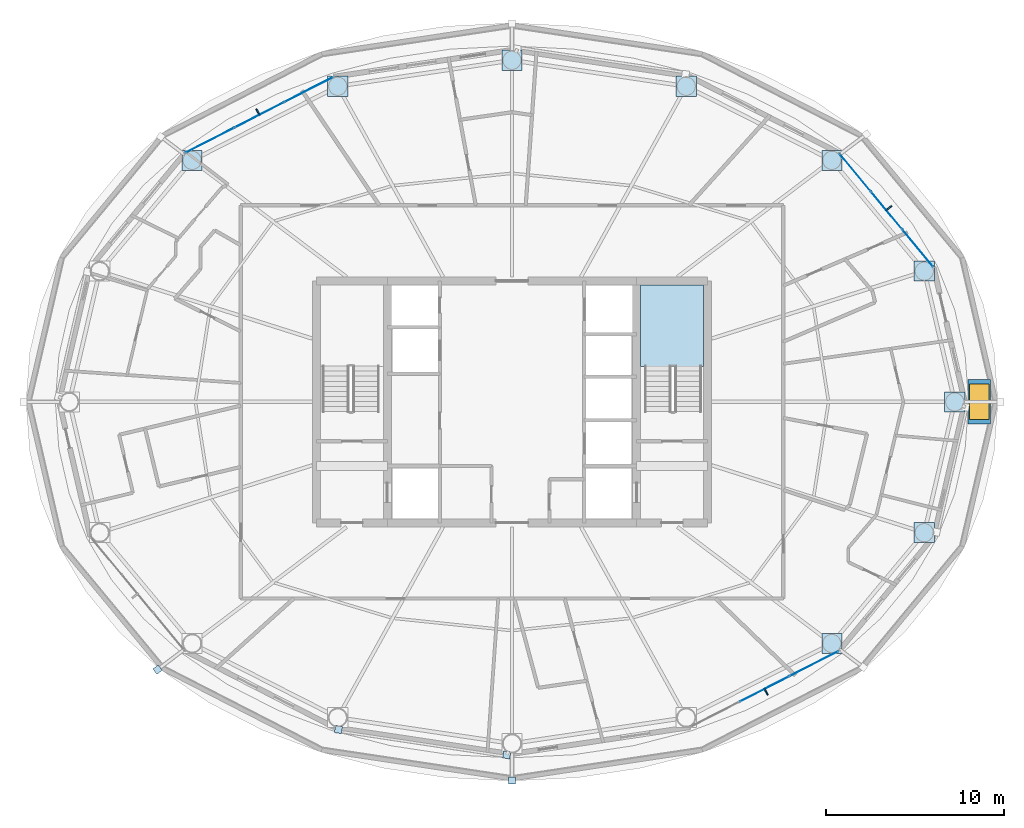
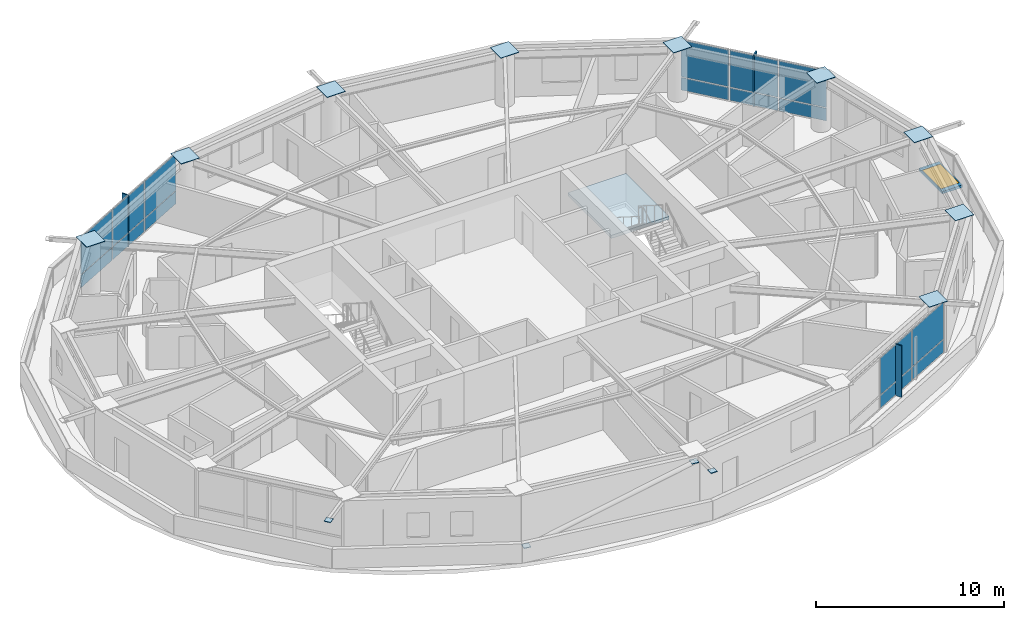
# One storey, part 14 of 22: 32 plates, 2 slabs, 1 door, 1 opening, 4 elements without a shape of their own.
"""IFC4 building model written with IfcOpenShell, lengths in metres."""

from ifc_helpers import new_model, si_unit, direction, frame, origin, origin_2d, place, context, subcontext, project, spatial, polyline, rectangle, outline, extrude, material, layer, layer_set, type_object, element, fill, aggregate, save


model = new_model("IFC4")

# Units and contexts
model_context = context("Model", 3, precision=1e-05, world=origin(), true_north=direction((0.0, 1.0)))
body_context = subcontext(model_context, "Body", "Model", "MODEL_VIEW")
ifc_project = project(units=[si_unit("LENGTHUNIT", "METRE"), si_unit("AREAUNIT", "SQUARE_METRE"), si_unit("VOLUMEUNIT", "CUBIC_METRE"), si_unit("PLANEANGLEUNIT", "RADIAN"), si_unit("MASSUNIT", "GRAM", prefix="KILO")], contexts=[model_context])

# Site, building, storey
site_placement = place(None, origin())
site = spatial("IfcSite", under=ifc_project, at=site_placement, CompositionType="ELEMENT")
building_placement = place(site_placement, origin())
building = spatial("IfcBuilding", under=site, at=building_placement, Name="Sarneth Arch Tower", CompositionType="ELEMENT")
storey_placement = place(building_placement, frame((0.0, 0.0, 206.39990234375)))
storey = spatial("IfcBuildingStorey", under=building, at=storey_placement, Name="L52", CompositionType="ELEMENT", Elevation=206.39990234375)

# Curtain wall, plates
ifc_material_1 = material(Name="Anodised aluminium Type AA25 and solar-control low-e laminated IGU", Category="aluminium")
ifc_layer_1 = layer(ifc_material_1, 0.179931640625)
ifc_layer_set_1 = layer_set([ifc_layer_1], Name="Anodised aluminium Type AA25 and solar-control low-e laminated IGU")
curtain_wall_type = type_object("IfcCurtainWallType", Name="CW-RES-HIGH", PredefinedType="NOTDEFINED", material=ifc_layer_set_1)
curtain_wall_1_placement = place(storey_placement, origin())
curtain_wall_1 = element("IfcCurtainWall", 1, at=curtain_wall_1_placement, inside=storey, type_object=curtain_wall_type, Name="L52 Unitised curtain wall facet 02", PredefinedType="NOTDEFINED")
ifc_material_2 = material(Name="Solar-control low-e laminated IGU", Category="glass")
ifc_layer_2 = layer(ifc_material_2, 0.028076171875)
ifc_layer_set_2 = layer_set([ifc_layer_2], Name="Solar-control low-e laminated IGU")
plate_type_1 = type_object("IfcPlateType", Name="CW-PANEL", PredefinedType="CURTAIN_PANEL", material=ifc_layer_set_2)
plate_1_placement = place(storey_placement, frame((70.799072265625, 50.650634765625, 0.06005859375), z_axis=(0.0, 0.0, 1.0), x_axis=(-0.637610094184, 0.770359245933, 0.0)))
plate_1 = element("IfcPlate", 2, at=plate_1_placement, type_object=plate_type_1, Name="Curtain wall glazed vision pane CW-L52-F02/P00-00", PredefinedType="CURTAIN_PANEL", context=body_context, shape_type="SweptSolid", body=[
    extrude(rectangle(XDim=2.686767578125, YDim=0.028076171875, at=origin_2d()), origin(), (0.0, 0.0, 1.0), 0.81005859375),
])
plate_2_placement = place(storey_placement, frame((70.799072265625, 50.650634765625, 0.929931640625), z_axis=(0.0, 0.0, 1.0), x_axis=(-0.637610094184, 0.770359245933, 0.0)))
plate_2 = element("IfcPlate", 3, at=plate_2_placement, type_object=plate_type_1, Name="Curtain wall glazed vision pane CW-L52-F02/P00-01", PredefinedType="CURTAIN_PANEL", context=body_context, shape_type="SweptSolid", body=[
    extrude(rectangle(XDim=2.686767578125, YDim=0.028076171875, at=origin_2d()), origin(), (0.0, 0.0, 1.0), 2.3701171875),
])
plate_3_placement = place(storey_placement, frame((69.0380859375, 52.778076171875, 0.06005859375), z_axis=(0.0, 0.0, 1.0), x_axis=(-0.637610094184, 0.770359245933, 0.0)))
plate_3 = element("IfcPlate", 4, at=plate_3_placement, type_object=plate_type_1, Name="Curtain wall glazed vision pane CW-L52-F02/P01-00", PredefinedType="CURTAIN_PANEL", context=body_context, shape_type="SweptSolid", body=[
    extrude(rectangle(XDim=2.716552734375, YDim=0.028076171875, at=origin_2d()), origin(), (0.0, 0.0, 1.0), 0.81005859375),
])
plate_4_placement = place(storey_placement, frame((69.0380859375, 52.778076171875, 0.929931640625), z_axis=(0.0, 0.0, 1.0), x_axis=(-0.637610094184, 0.770359245933, 0.0)))
plate_4 = element("IfcPlate", 5, at=plate_4_placement, type_object=plate_type_1, Name="Curtain wall glazed vision pane CW-L52-F02/P01-01", PredefinedType="CURTAIN_PANEL", context=body_context, shape_type="SweptSolid", body=[
    extrude(rectangle(XDim=2.716552734375, YDim=0.028076171875, at=origin_2d()), origin(), (0.0, 0.0, 1.0), 2.3701171875),
])
plate_5_placement = place(storey_placement, frame((67.27734375, 54.905517578125, 0.06005859375), z_axis=(0.0, 0.0, 1.0), x_axis=(-0.637610094184, 0.770359245933, 0.0)))
plate_5 = element("IfcPlate", 6, at=plate_5_placement, type_object=plate_type_1, Name="Curtain wall glazed vision pane CW-L52-F02/P02-00", PredefinedType="CURTAIN_PANEL", context=body_context, shape_type="SweptSolid", body=[
    extrude(rectangle(XDim=2.686767578125, YDim=0.028076171875, at=origin_2d()), origin(), (0.0, 0.0, 1.0), 0.81005859375),
])
plate_6_placement = place(storey_placement, frame((67.27734375, 54.905517578125, 0.929931640625), z_axis=(0.0, 0.0, 1.0), x_axis=(-0.637610094184, 0.770359245933, 0.0)))
plate_6 = element("IfcPlate", 7, at=plate_6_placement, type_object=plate_type_1, Name="Curtain wall glazed vision pane CW-L52-F02/P02-01", PredefinedType="CURTAIN_PANEL", context=body_context, shape_type="SweptSolid", body=[
    extrude(rectangle(XDim=2.686767578125, YDim=0.028076171875, at=origin_2d()), origin(), (0.0, 0.0, 1.0), 2.3701171875),
])
aggregate(curtain_wall_1, [plate_1, plate_2, plate_3, plate_4, plate_5, plate_6])

curtain_wall_2_placement = place(storey_placement, origin())
curtain_wall_2 = element("IfcCurtainWall", 8, at=curtain_wall_2_placement, inside=storey, type_object=curtain_wall_type, Name="L52 Unitised curtain wall facet 06", PredefinedType="NOTDEFINED")
plate_7_placement = place(storey_placement, frame((36.5791015625, 59.552978515625, 0.06005859375), z_axis=(0.0, 0.0, 1.0), x_axis=(-0.890009540525, -0.455941901753, 0.0)))
plate_7 = element("IfcPlate", 9, at=plate_7_placement, type_object=plate_type_1, Name="Curtain wall glazed vision pane CW-L52-F06/P00-00", PredefinedType="CURTAIN_PANEL", context=body_context, shape_type="SweptSolid", body=[
    extrude(rectangle(XDim=3.044677734375, YDim=0.028076171875, at=origin_2d()), origin(), (0.0, 0.0, 1.0), 0.81005859375),
])
plate_8_placement = place(storey_placement, frame((36.5791015625, 59.552978515625, 0.929931640625), z_axis=(0.0, 0.0, 1.0), x_axis=(-0.890009540525, -0.455941901753, 0.0)))
plate_8 = element("IfcPlate", 10, at=plate_8_placement, type_object=plate_type_1, Name="Curtain wall glazed vision pane CW-L52-F06/P00-01", PredefinedType="CURTAIN_PANEL", context=body_context, shape_type="SweptSolid", body=[
    extrude(rectangle(XDim=3.044677734375, YDim=0.028076171875, at=origin_2d()), origin(), (0.0, 0.0, 1.0), 2.3701171875),
])
plate_9_placement = place(storey_placement, frame((33.802490234375, 58.13037109375, 0.06005859375), z_axis=(0.0, 0.0, 1.0), x_axis=(-0.890009540525, -0.455941901753, 0.0)))
plate_9 = element("IfcPlate", 11, at=plate_9_placement, type_object=plate_type_1, Name="Curtain wall glazed vision pane CW-L52-F06/P01-00", PredefinedType="CURTAIN_PANEL", context=body_context, shape_type="SweptSolid", body=[
    extrude(rectangle(XDim=3.07470703125, YDim=0.028076171875, at=origin_2d()), origin(), (0.0, 0.0, 1.0), 0.81005859375),
])
plate_10_placement = place(storey_placement, frame((33.802490234375, 58.13037109375, 0.929931640625), z_axis=(0.0, 0.0, 1.0), x_axis=(-0.890009540525, -0.455941901753, 0.0)))
plate_10 = element("IfcPlate", 12, at=plate_10_placement, type_object=plate_type_1, Name="Curtain wall glazed vision pane CW-L52-F06/P01-01", PredefinedType="CURTAIN_PANEL", context=body_context, shape_type="SweptSolid", body=[
    extrude(rectangle(XDim=3.07470703125, YDim=0.028076171875, at=origin_2d()), origin(), (0.0, 0.0, 1.0), 2.3701171875),
])
plate_11_placement = place(storey_placement, frame((31.02587890625, 56.7080078125, 0.06005859375), z_axis=(0.0, 0.0, 1.0), x_axis=(-0.890009540525, -0.455941901753, 0.0)))
plate_11 = element("IfcPlate", 13, at=plate_11_placement, type_object=plate_type_1, Name="Curtain wall glazed vision pane CW-L52-F06/P02-00", PredefinedType="CURTAIN_PANEL", context=body_context, shape_type="SweptSolid", body=[
    extrude(rectangle(XDim=3.044677734375, YDim=0.028076171875, at=origin_2d()), origin(), (0.0, 0.0, 1.0), 0.81005859375),
])
plate_12_placement = place(storey_placement, frame((31.02587890625, 56.7080078125, 0.929931640625), z_axis=(0.0, 0.0, 1.0), x_axis=(-0.890009540525, -0.455941901753, 0.0)))
plate_12 = element("IfcPlate", 14, at=plate_12_placement, type_object=plate_type_1, Name="Curtain wall glazed vision pane CW-L52-F06/P02-01", PredefinedType="CURTAIN_PANEL", context=body_context, shape_type="SweptSolid", body=[
    extrude(rectangle(XDim=3.044677734375, YDim=0.028076171875, at=origin_2d()), origin(), (0.0, 0.0, 1.0), 2.3701171875),
])
aggregate(curtain_wall_2, [plate_7, plate_8, plate_9, plate_10, plate_11, plate_12])

curtain_wall_3_placement = place(storey_placement, origin())
curtain_wall_3 = element("IfcCurtainWall", 15, at=curtain_wall_3_placement, inside=storey, type_object=curtain_wall_type, Name="L52 Unitised curtain wall facet 14", PredefinedType="NOTDEFINED")
plate_13_placement = place(storey_placement, frame((62.197509765625, 25.86962890625, 0.06005859375), z_axis=(0.0, 0.0, 1.0), x_axis=(0.890009540525, 0.455941901753, 0.0)))
plate_13 = element("IfcPlate", 16, at=plate_13_placement, type_object=plate_type_1, Name="Curtain wall glazed vision pane CW-L52-F14/P01-00", PredefinedType="CURTAIN_PANEL", context=body_context, shape_type="SweptSolid", body=[
    extrude(rectangle(XDim=3.07470703125, YDim=0.028076171875, at=origin_2d()), origin(), (0.0, 0.0, 1.0), 0.81005859375),
])
plate_14_placement = place(storey_placement, frame((62.197509765625, 25.86962890625, 0.929931640625), z_axis=(0.0, 0.0, 1.0), x_axis=(0.890009540525, 0.455941901753, 0.0)))
plate_14 = element("IfcPlate", 17, at=plate_14_placement, type_object=plate_type_1, Name="Curtain wall glazed vision pane CW-L52-F14/P01-01", PredefinedType="CURTAIN_PANEL", context=body_context, shape_type="SweptSolid", body=[
    extrude(rectangle(XDim=3.07470703125, YDim=0.028076171875, at=origin_2d()), origin(), (0.0, 0.0, 1.0), 2.3701171875),
])
plate_15_placement = place(storey_placement, frame((64.97412109375, 27.2919921875, 0.06005859375), z_axis=(0.0, 0.0, 1.0), x_axis=(0.890009540525, 0.455941901753, 0.0)))
plate_15 = element("IfcPlate", 18, at=plate_15_placement, type_object=plate_type_1, Name="Curtain wall glazed vision pane CW-L52-F14/P02-00", PredefinedType="CURTAIN_PANEL", context=body_context, shape_type="SweptSolid", body=[
    extrude(rectangle(XDim=3.044677734375, YDim=0.028076171875, at=origin_2d()), origin(), (0.0, 0.0, 1.0), 0.81005859375),
])
plate_16_placement = place(storey_placement, frame((64.97412109375, 27.2919921875, 0.929931640625), z_axis=(0.0, 0.0, 1.0), x_axis=(0.890009540525, 0.455941901753, 0.0)))
plate_16 = element("IfcPlate", 19, at=plate_16_placement, type_object=plate_type_1, Name="Curtain wall glazed vision pane CW-L52-F14/P02-01", PredefinedType="CURTAIN_PANEL", context=body_context, shape_type="SweptSolid", body=[
    extrude(rectangle(XDim=3.044677734375, YDim=0.028076171875, at=origin_2d()), origin(), (0.0, 0.0, 1.0), 2.3701171875),
])
aggregate(curtain_wall_3, [plate_13, plate_14, plate_15, plate_16])

# Plates
ifc_material_3 = material(Name="Steel S355", Category="steel")
ifc_layer_3 = layer(ifc_material_3, 0.035888671875)
ifc_layer_set_3 = layer_set([ifc_layer_3], Name="Steel S355")
plate_type_2 = type_object("IfcPlateType", Name="PLT-GUSSET-30", PredefinedType="SHEET", material=ifc_layer_set_3)
plate_17_placement = place(storey_placement, frame((28.080322265625, 26.954833984375, 3.18212890625), z_axis=(0.0, 0.0, 1.0), x_axis=(-0.798004853043, -0.602651022168, 0.0)))
element("IfcPlate", 20, at=plate_17_placement, inside=storey, type_object=plate_type_2, Name="Steel end cap plate GP-1", PredefinedType="SHEET", context=body_context, shape_type="SweptSolid", body=[
    extrude(rectangle(XDim=0.3798828125, YDim=0.3798828125, at=origin_2d()), origin(), (0.0, 0.0, 1.0), 0.035888671875),
])
for number, where, z_axis, x_axis, name in (
    (21, (38.245849609375, 23.588623046875, 0.001953125), (0.0, 0.0, 1.0), (0.988860535448, -0.148845024885, 0.0), "Steel end cap plate GP-1"),
    (22, (47.703369140625, 22.16455078125, 3.0185546875), (0.0, 0.0, 1.0), (0.988860535448, -0.148845024885, 0.0), "Steel end cap plate GP-1"),
):
    element("IfcPlate", number, at=place(storey_placement, frame(where, z_axis=z_axis, x_axis=x_axis)), inside=storey, type_object=plate_type_2, Name=name, PredefinedType="SHEET", context=body_context, shape_type="SweptSolid", body=[
        extrude(rectangle(XDim=0.404052734375, YDim=0.404052734375, at=origin_2d()), origin(), (0.0, 0.0, 1.0), 0.035888671875),
    ])
plate_18_placement = place(storey_placement, frame((48.0, 20.726318359375, 3.18212890625), z_axis=(0.0, 0.0, 1.0), x_axis=(0.0, -1.0, 0.0)))
element("IfcPlate", 23, at=plate_18_placement, inside=storey, type_object=plate_type_2, Name="Steel end cap plate GP-1", PredefinedType="SHEET", context=body_context, shape_type="SweptSolid", body=[
    extrude(rectangle(XDim=0.3798828125, YDim=0.3798828125, at=origin_2d()), origin(), (0.0, 0.0, 1.0), 0.035888671875),
])
ifc_material_4 = material(Name="Steel S355", Category="steel")
ifc_layer_4 = layer(ifc_material_4, 0.0400390625)
ifc_layer_set_4 = layer_set([ifc_layer_4], Name="Steel S355")
plate_type_3 = type_object("IfcPlateType", Name="PLT-SPLICE-40", PredefinedType="SHEET", material=ifc_layer_set_4)
for number, where, z_axis, x_axis, name in (
    (24, (72.88330078125, 42.0, 3.34228515625), (0.0, 0.0, 1.0), (1.0, 0.0, 0.0), "Steel end cap plate GP-2"),
    (25, (71.1689453125, 49.347412109375, 3.34228515625), (0.0, 0.0, 1.0), (1.0, 0.0, 0.0), "Steel end cap plate GP-2"),
    (26, (65.975341796875, 55.576416015625, 3.34228515625), (0.0, 0.0, 1.0), (1.0, 0.0, 0.0), "Steel end cap plate GP-2"),
    (27, (57.790771484375, 59.738525390625, 3.34228515625), (0.0, 0.0, 1.0), (1.0, 0.0, 0.0), "Steel end cap plate GP-2"),
    (28, (48.0, 61.199951171875, 3.34228515625), (0.0, 0.0, 1.0), (1.0, 0.0, 0.0), "Steel end cap plate GP-2"),
    (29, (38.209228515625, 59.738525390625, 3.34228515625), (0.0, 0.0, 1.0), (1.0, 0.0, 0.0), "Steel end cap plate GP-2"),
    (30, (30.024658203125, 55.576416015625, 3.34228515625), (0.0, 0.0, 1.0), (1.0, 0.0, 0.0), "Steel end cap plate GP-2"),
    (31, (65.975341796875, 28.423583984375, 3.34228515625), (0.0, 0.0, 1.0), (1.0, 0.0, 0.0), "Steel end cap plate GP-2"),
    (32, (71.1689453125, 34.652587890625, 3.34228515625), (0.0, 0.0, 1.0), (1.0, 0.0, 0.0), "Steel end cap plate GP-2"),
):
    element("IfcPlate", number, at=place(storey_placement, frame(where, z_axis=z_axis, x_axis=x_axis)), inside=storey, type_object=plate_type_3, Name=name, PredefinedType="SHEET", context=body_context, shape_type="SweptSolid", body=[
        extrude(rectangle(XDim=1.1298828125, YDim=1.1298828125, at=origin_2d()), origin(), (0.0, 0.0, 1.0), 0.035888671875),
    ])
ifc_material_5 = material(Name="Extruded glazed terracotta baguette fin on Aluminium 6063-T6 carrier", Category="masonry")
ifc_layer_5 = layer(ifc_material_5, 0.080078125)
ifc_layer_set_5 = layer_set([ifc_layer_5], Name="Extruded glazed terracotta baguette fin on Aluminium 6063-T6 carrier")
plate_type_4 = type_object("IfcPlateType", Name="SHADE-TERRA-FIN", PredefinedType="SHEET", material=ifc_layer_set_5)
for number, where, z_axis, x_axis, name in (
    (33, (69.169189453125, 52.886474609375, 0.01025390625), (0.0, 0.0, 1.0), (0.770401979567, 0.63755845997, 0.0), "L52 Terracotta vertical shading fin 02"),
    (34, (33.724853515625, 58.28173828125, 0.01025390625), (0.0, 0.0, 1.0), (-0.456010959102, 0.889974159838, 0.0), "L52 Terracotta vertical shading fin 06"),
    (35, (62.275146484375, 25.71826171875, 0.01025390625), (0.0, 0.0, 1.0), (0.456010959102, -0.889974159838, 0.0), "L52 Terracotta vertical shading fin 14"),
):
    element("IfcPlate", number, at=place(storey_placement, frame(where, z_axis=z_axis, x_axis=x_axis)), inside=storey, type_object=plate_type_4, Name=name, PredefinedType="SHEET", context=body_context, shape_type="SweptSolid", body=[
        extrude(rectangle(XDim=0.419921875, YDim=0.080078125, at=origin_2d()), origin(), (0.0, 0.0, 1.0), 3.340087890625),
    ])

# Slab, opening, door
ifc_material_6 = material(Name="Concrete C50/60", Category="concrete")
ifc_layer_6 = layer(ifc_material_6, 0.159912109375)
ifc_layer_set_6 = layer_set([ifc_layer_6], Name="Concrete C50/60")
slab_type_1 = type_object("IfcSlabType", Name="SLAB-KERB-160", PredefinedType="ROOF", material=ifc_layer_set_6)
slab_1_placement = place(storey_placement, origin())
slab_1 = element("IfcSlab", 36, at=slab_1_placement, inside=storey, type_object=slab_type_1, Name="L52 Roof hatch upstand kerb HATCH-L52-SET", PredefinedType="ROOF", context=body_context, shape_type="SweptSolid", body=[
    extrude(outline(polyline([(73.639892578125, 40.75), (74.8798828125, 40.75), (74.8798828125, 43.25), (73.639892578125, 43.25), (73.639892578125, 40.75)]), holes=[polyline([(73.7099609375, 41.0), (74.81005859375, 41.0), (74.81005859375, 43.0), (73.7099609375, 43.0), (73.7099609375, 41.0)])]), origin(), (0.0, 0.0, 1.0), 0.16015625),
])
opening_placement = place(slab_1_placement, frame((74.260009765625, 42.0, 0.0)))
opening = element("IfcOpeningElement", 37, at=opening_placement, cuts=slab_1, Name="Opening RH-1", PredefinedType="OPENING", context=body_context, shape_type="SweptSolid", body=[
    extrude(rectangle(XDim=1.10009765625, YDim=2.0, at=origin_2d()), origin(), (0.0, 0.0, 1.0), 0.16015625),
])
ifc_material_7 = material(Name="Thermally broken Aluminium 6063-T6 and laminated safety glass", Category="aluminium")
door_type = type_object("IfcDoorType", Name="DR-ROOF-HATCH", OperationType="SINGLE_SWING_LEFT", PredefinedType="TRAPDOOR", material=ifc_material_7)
door_placement = place(opening_placement, frame((0.0, 0.0, 0.110107421875)))
door = element("IfcDoor", 38, at=door_placement, inside=storey, type_object=door_type, Name="L52 Maintenance Roof Access Hatch HATCH-L52-SET", OperationType="SINGLE_SWING_LEFT", OverallHeight=2.0, OverallWidth=1.10009765625, PredefinedType="TRAPDOOR", context=body_context, shape_type="SweptSolid", body=[
    extrude(rectangle(XDim=1.10009765625, YDim=2.0, at=origin_2d()), origin(), (0.0, 0.0, 1.0), 0.050048828125),
])
fill(opening, door)

# Stair, slab
ifc_material_8 = material(Name="Concrete C50/60", Category="concrete")
stair_type = type_object("IfcStairType", Name="STAIR-CORE-RC", PredefinedType="HALF_TURN_STAIR", material=ifc_material_8)
stair_placement = place(storey_placement, origin())
stair = element("IfcStair", 39, at=stair_placement, inside=storey, type_object=stair_type, Name="L52 Core Exit Stair 2", PredefinedType="HALF_TURN_STAIR")
ifc_material_9 = material(Name="Concrete C50/60", Category="concrete")
ifc_layer_7 = layer(ifc_material_9, 0.199951171875)
ifc_layer_set_7 = layer_set([ifc_layer_7], Name="Concrete C50/60")
slab_type_2 = type_object("IfcSlabType", Name="SLAB-LANDING-200", PredefinedType="LANDING", material=ifc_layer_set_7)
slab_2_placement = place(storey_placement, frame((0.0, 0.0, 1.60009765625)))
slab_2 = element("IfcSlab", 40, at=slab_2_placement, type_object=slab_type_2, Name="ST-2 landing 1", PredefinedType="LANDING", context=body_context, shape_type="SweptSolid", body=[
    extrude(outline(polyline([(55.22509765625, 43.985107421875), (58.77490234375, 43.985107421875), (58.77490234375, 48.574951171875), (55.22509765625, 48.574951171875), (55.22509765625, 43.985107421875)])), origin(), (0.0, 0.0, 1.0), 0.199951171875),
])
aggregate(stair, [slab_2])

save(model, "model.ifc")
